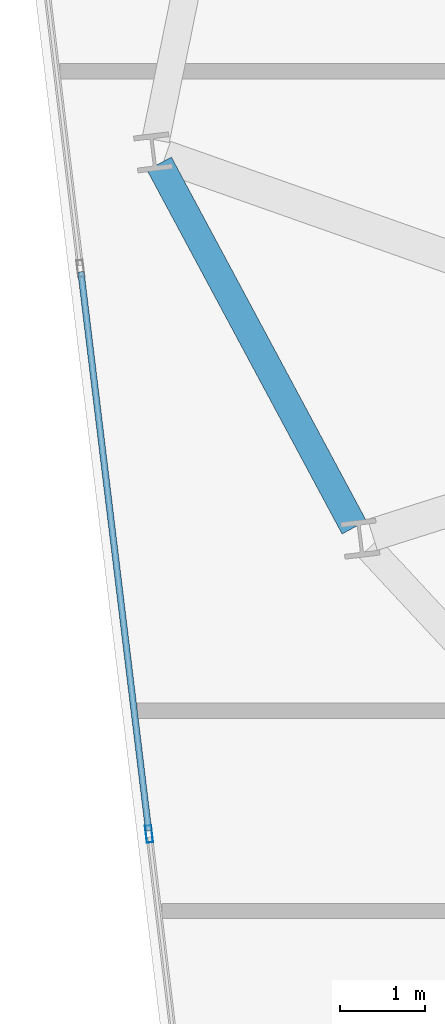
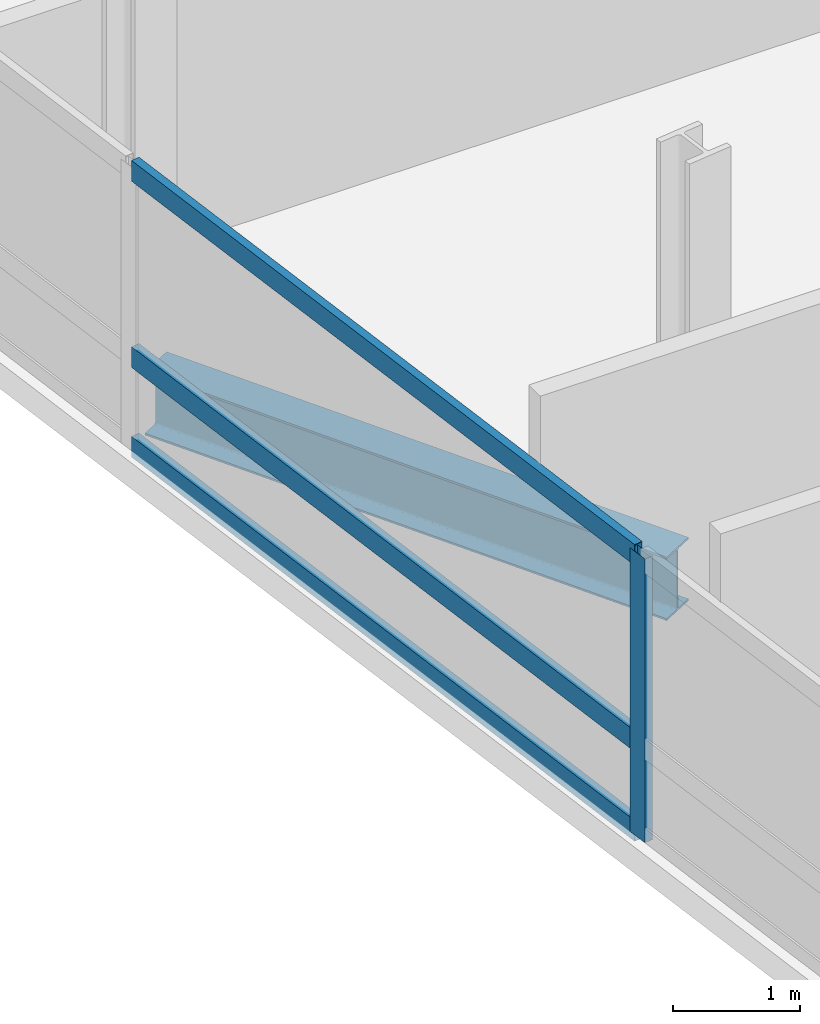
# One storey, part 4 of 23: 4 members, 1 beam, 1 element without a shape of its own.
"""IFC4 building model written with IfcOpenShell, lengths in metres."""

from ifc_helpers import new_model, si_unit, direction, frame, origin, origin_2d, place, context, subcontext, project, spatial, hollow_rectangle, i_section, extrude, material, layer, layer_set, material_profile, profile_set, type_object, element, aggregate, save


model = new_model("IFC4")

# Units and contexts
model_context = context("Model", 3, precision=1e-05, world=origin(), true_north=direction((0.0, 1.0)))
body_context = subcontext(model_context, "Body", "Model", "MODEL_VIEW")
ifc_project = project(units=[si_unit("LENGTHUNIT", "METRE"), si_unit("AREAUNIT", "SQUARE_METRE"), si_unit("VOLUMEUNIT", "CUBIC_METRE"), si_unit("PLANEANGLEUNIT", "RADIAN"), si_unit("MASSUNIT", "GRAM", prefix="KILO")], contexts=[model_context])

# Site, building, storey
site_placement = place(None, origin())
site = spatial("IfcSite", under=ifc_project, at=site_placement, CompositionType="ELEMENT")
building_placement = place(site_placement, origin())
building = spatial("IfcBuilding", under=site, at=building_placement, Name="Varnelok Gate Tower", CompositionType="ELEMENT")
storey_placement = place(building_placement, frame((0.0, 0.0, 170.89990234375)))
storey = spatial("IfcBuildingStorey", under=building, at=storey_placement, Name="L43", CompositionType="ELEMENT", Elevation=170.89990234375)

# Beam
ifc_material_1 = material(Name="Structural Steel ASTM A992 Grade 50", Category="steel")
ifc_material_profile_1 = material_profile(ifc_material_1, i_section(OverallWidth=0.323974609375, OverallDepth=0.611083984375, WebThickness=0.0126953125, FlangeThickness=0.01904296875, FilletRadius=0.01806640625, at=origin_2d()), Name="W24X104")
ifc_profile_set_1 = profile_set([ifc_material_profile_1], Name="Structural Steel ASTM A992 Grade 50")
beam_type = type_object("IfcBeamType", Name="BM-SPN-W24X104", PredefinedType="SPANDREL", material=ifc_profile_set_1)
beam_placement = place(storey_placement, frame((4.816650390625, 25.61474609375, -0.555419921875), z_axis=(0.472471917257, -0.881345725242, 0.0), x_axis=(0.881345725242, 0.472471917257, 0.0)))
element("IfcBeam", 1, at=beam_placement, inside=storey, type_object=beam_type, Name="L43 Perimeter Spandrel Beam 15", PredefinedType="SPANDREL", context=body_context, shape_type="SweptSolid", body=[
    extrude(i_section(OverallWidth=0.323974609375, OverallDepth=0.611083984375, WebThickness=0.0126953125, FlangeThickness=0.01904296875, FilletRadius=0.01806640625, at=origin_2d()), origin(), (0.0, 0.0, 1.0), 4.8408203125),
])

# Curtain wall, members
ifc_material_2 = material(Name="Anodized Aluminum Alloy 6063-T6", Category="aluminium")
ifc_layer = layer(ifc_material_2, 0.179931640625)
ifc_layer_set = layer_set([ifc_layer], Name="Anodized Aluminum Alloy 6063-T6")
curtain_wall_type = type_object("IfcCurtainWallType", Name="CW4-RESIDENCE-VISION", PredefinedType="USERDEFINED", material=ifc_layer_set)
curtain_wall_placement = place(storey_placement, origin())
curtain_wall = element("IfcCurtainWall", 2, at=curtain_wall_placement, inside=storey, type_object=curtain_wall_type, Name="L43 West End Vision Curtain Wall", ObjectType="UNITISED CURTAIN WALL", PredefinedType="USERDEFINED")
ifc_material_profile_2 = material_profile(ifc_material_2, hollow_rectangle(XDim=0.074951171875, YDim=0.199951171875, WallThickness=0.00390625, at=origin_2d()), Name="ALU200X75X4")
ifc_profile_set_2 = profile_set([ifc_material_profile_2], Name="Anodized Aluminum Alloy 6063-T6")
member_type_1 = type_object("IfcMemberType", Name="CW-MULL-200", PredefinedType="MULLION", material=ifc_profile_set_2)
member_1_placement = place(storey_placement, frame((4.697509765625, 17.7529296875, 0.0), z_axis=(0.0, 0.0, 1.0), x_axis=(-0.992732188751, -0.120344511371, 0.0)))
member_1 = element("IfcMember", 3, at=member_1_placement, type_object=member_type_1, Name="CW4 mullion 3", PredefinedType="MULLION", context=body_context, shape_type="SweptSolid", body=[
    extrude(hollow_rectangle(XDim=0.074951171875, YDim=0.199951171875, WallThickness=0.00390625, at=origin_2d()), origin(), (0.0, 0.0, 1.0), 2.72998046875),
])
ifc_material_profile_3 = material_profile(ifc_material_2, hollow_rectangle(XDim=0.074951171875, YDim=0.199951171875, WallThickness=0.00390625, at=origin_2d()), Name="ALU200X75X4")
ifc_profile_set_3 = profile_set([ifc_material_profile_3], Name="Anodized Aluminum Alloy 6063-T6")
member_type_2 = type_object("IfcMemberType", Name="CW-TRAN-200", PredefinedType="USERDEFINED", material=ifc_profile_set_3)
member_2_placement = place(storey_placement, frame((4.69287109375, 17.790283203125, 0.03759765625), z_axis=(-0.120317016873, 0.992735521401, 0.0), x_axis=(-0.992735521401, -0.120317016873, 0.0)))
member_2 = element("IfcMember", 4, at=member_2_placement, type_object=member_type_2, Name="CW4 transom 3.1", ObjectType="TRANSOM", PredefinedType="USERDEFINED", context=body_context, shape_type="SweptSolid", body=[
    extrude(hollow_rectangle(XDim=0.074951171875, YDim=0.199951171875, WallThickness=0.00390625, at=origin_2d()), origin(), (0.0, 0.0, 1.0), 6.60498046875),
])
member_3_placement = place(storey_placement, frame((4.69287109375, 17.790283203125, 0.900146484375), z_axis=(-0.120317016873, 0.992735521401, 0.0), x_axis=(-0.992735521401, -0.120317016873, 0.0)))
member_3 = element("IfcMember", 5, at=member_3_placement, type_object=member_type_2, Name="CW4 transom 3.2", ObjectType="TRANSOM", PredefinedType="USERDEFINED", context=body_context, shape_type="SweptSolid", body=[
    extrude(hollow_rectangle(XDim=0.074951171875, YDim=0.199951171875, WallThickness=0.00390625, at=origin_2d()), origin(), (0.0, 0.0, 1.0), 6.60498046875),
])
member_4_placement = place(storey_placement, frame((4.69287109375, 17.790283203125, 2.692626953125), z_axis=(-0.120317016873, 0.992735521401, 0.0), x_axis=(-0.992735521401, -0.120317016873, 0.0)))
member_4 = element("IfcMember", 6, at=member_4_placement, type_object=member_type_2, Name="CW4 transom 3.3", ObjectType="TRANSOM", PredefinedType="USERDEFINED", context=body_context, shape_type="SweptSolid", body=[
    extrude(hollow_rectangle(XDim=0.074951171875, YDim=0.199951171875, WallThickness=0.00390625, at=origin_2d()), origin(), (0.0, 0.0, 1.0), 6.60498046875),
])
aggregate(curtain_wall, [member_1, member_2, member_3, member_4])

save(model, "model.ifc")
